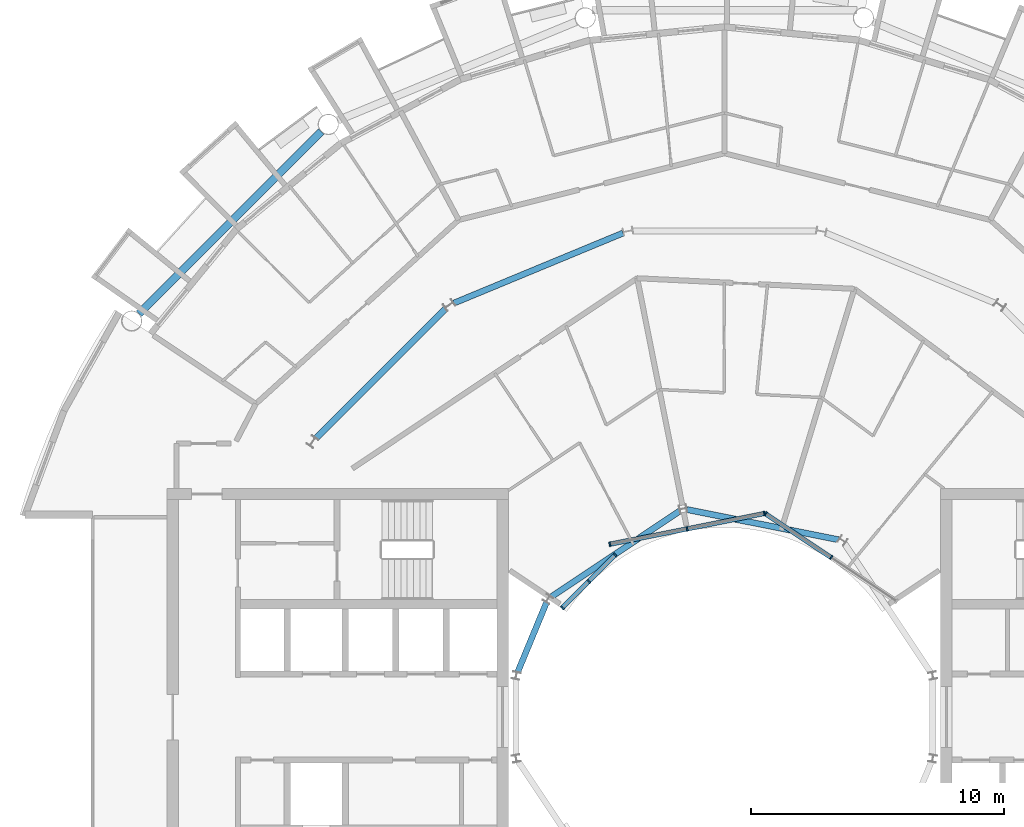
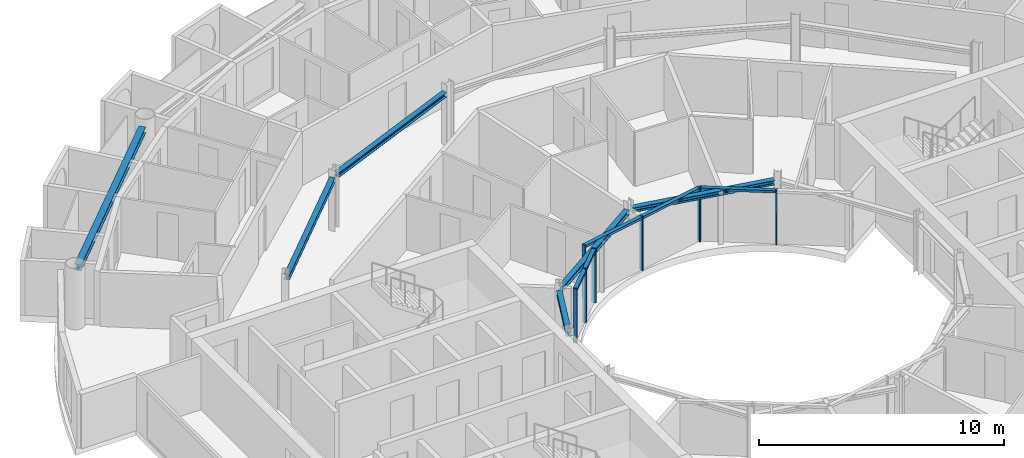
# One storey, part 9 of 29: 13 members, 6 beams, 3 elements without a shape of their own.
"""IFC4 building model written with IfcOpenShell, lengths in metres."""

from ifc_helpers import new_model, si_unit, direction, frame, origin, origin_2d, place, context, subcontext, project, spatial, rectangle, i_section, extrude, material, layer, layer_set, material_profile, profile_set, type_object, element, aggregate, save


model = new_model("IFC4")

# Units and contexts
model_context = context("Model", 3, precision=1e-05, world=origin(), true_north=direction((0.0, 1.0)))
body_context = subcontext(model_context, "Body", "Model", "MODEL_VIEW")
ifc_project = project(units=[si_unit("LENGTHUNIT", "METRE"), si_unit("AREAUNIT", "SQUARE_METRE"), si_unit("VOLUMEUNIT", "CUBIC_METRE"), si_unit("PLANEANGLEUNIT", "RADIAN"), si_unit("MASSUNIT", "GRAM", prefix="KILO")], contexts=[model_context])

# Site, building, storey
site_placement = place(None, origin())
site = spatial("IfcSite", under=ifc_project, at=site_placement, CompositionType="ELEMENT")
building_placement = place(site_placement, origin())
building = spatial("IfcBuilding", under=site, at=building_placement, Name="Maasbend Ring Residences", CompositionType="ELEMENT")
storey_placement = place(building_placement, frame((0.0, 0.0, 190.199951171875)))
storey = spatial("IfcBuildingStorey", under=building, at=storey_placement, Name="L54", CompositionType="ELEMENT", Elevation=190.199951171875)

# Curtain wall, members
ifc_material_1 = material(Name="Aluminium and clear glass", Category="aluminium")
ifc_layer = layer(ifc_material_1, 0.179931640625)
ifc_layer_set = layer_set([ifc_layer], Name="CW-W")
curtain_wall_type = type_object("IfcCurtainWallType", Name="CW-W", PredefinedType="NOTDEFINED", material=ifc_layer_set)
curtain_wall_1_placement = place(storey_placement, origin())
curtain_wall_1 = element("IfcCurtainWall", 1, at=curtain_wall_1_placement, inside=storey, type_object=curtain_wall_type, Name="Well curtain wall N1", PredefinedType="NOTDEFINED")
ifc_material_2 = material(Name="Aluminium 6063-T6", Category="aluminium")
ifc_material_profile_1 = material_profile(ifc_material_2, rectangle(XDim=0.179931640625, YDim=0.06005859375, at=origin_2d()), Name="AL 180x60")
ifc_profile_set_1 = profile_set([ifc_material_profile_1], Name="Aluminium 6063-T6")
member_type_1 = type_object("IfcMemberType", Name="CWM-W", PredefinedType="MULLION", material=ifc_profile_set_1)
member_1_placement = place(storey_placement, frame((4.216796875, 6.310791015625, 0.0), z_axis=(0.0, 0.0, 1.0), x_axis=(-0.55557023302, -0.831469612303, 0.0)))
member_1 = element("IfcMember", 2, at=member_1_placement, type_object=member_type_1, Name="Mullion well face", PredefinedType="MULLION", context=body_context, shape_type="SweptSolid", body=[
    extrude(rectangle(XDim=0.179931640625, YDim=0.06005859375, at=origin_2d()), origin(), (0.0, 0.0, 1.0), 2.699951171875),
])
member_2_placement = place(storey_placement, frame((1.627685546875, 8.040771484375, 0.0), z_axis=(0.0, 0.0, 1.0), x_axis=(-0.55557023302, -0.831469612303, 0.0)))
member_2 = element("IfcMember", 3, at=member_2_placement, type_object=member_type_1, Name="Mullion well face", PredefinedType="MULLION", context=body_context, shape_type="SweptSolid", body=[
    extrude(rectangle(XDim=0.179931640625, YDim=0.06005859375, at=origin_2d()), origin(), (0.0, 0.0, 1.0), 2.699951171875),
])

curtain_wall_2_placement = place(storey_placement, origin())
curtain_wall_2 = element("IfcCurtainWall", 4, at=curtain_wall_2_placement, inside=storey, type_object=curtain_wall_type, Name="Well curtain wall N2", PredefinedType="NOTDEFINED")
member_3_placement = place(storey_placement, frame((1.5732421875, 8.0517578125, 0.0), z_axis=(0.0, 0.0, 1.0), x_axis=(0.195090322016, -0.980785280403, 0.0)))
member_3 = element("IfcMember", 5, at=member_3_placement, type_object=member_type_1, Name="Mullion well face", PredefinedType="MULLION", context=body_context, shape_type="SweptSolid", body=[
    extrude(rectangle(XDim=0.179931640625, YDim=0.06005859375, at=origin_2d()), origin(), (0.0, 0.0, 1.0), 2.699951171875),
])
member_4_placement = place(storey_placement, frame((-1.480712890625, 7.444091796875, 0.0), z_axis=(0.0, 0.0, 1.0), x_axis=(0.195090322016, -0.980785280403, 0.0)))
member_4 = element("IfcMember", 6, at=member_4_placement, type_object=member_type_1, Name="Mullion well face", PredefinedType="MULLION", context=body_context, shape_type="SweptSolid", body=[
    extrude(rectangle(XDim=0.179931640625, YDim=0.06005859375, at=origin_2d()), origin(), (0.0, 0.0, 1.0), 2.699951171875),
])
member_5_placement = place(storey_placement, frame((-4.53466796875, 6.836669921875, 0.0), z_axis=(0.0, 0.0, 1.0), x_axis=(0.195090322016, -0.980785280403, 0.0)))
member_5 = element("IfcMember", 7, at=member_5_placement, type_object=member_type_1, Name="Mullion well face", PredefinedType="MULLION", context=body_context, shape_type="SweptSolid", body=[
    extrude(rectangle(XDim=0.179931640625, YDim=0.06005859375, at=origin_2d()), origin(), (0.0, 0.0, 1.0), 2.699951171875),
])

curtain_wall_3_placement = place(storey_placement, origin())
curtain_wall_3 = element("IfcCurtainWall", 8, at=curtain_wall_3_placement, inside=storey, type_object=curtain_wall_type, Name="Well curtain wall N3", PredefinedType="NOTDEFINED")
member_6_placement = place(storey_placement, frame((-4.320556640625, 6.413330078125, 0.0), z_axis=(0.0, 0.0, 1.0), x_axis=(0.707106781187, -0.707106781187, 0.0)))
member_6 = element("IfcMember", 9, at=member_6_placement, type_object=member_type_1, Name="Mullion well face", PredefinedType="MULLION", context=body_context, shape_type="SweptSolid", body=[
    extrude(rectangle(XDim=0.179931640625, YDim=0.06005859375, at=origin_2d()), origin(), (0.0, 0.0, 1.0), 2.699951171875),
])
member_7_placement = place(storey_placement, frame((-5.366943359375, 5.366943359375, 0.0), z_axis=(0.0, 0.0, 1.0), x_axis=(0.707106781187, -0.707106781187, 0.0)))
member_7 = element("IfcMember", 10, at=member_7_placement, type_object=member_type_1, Name="Mullion well face", PredefinedType="MULLION", context=body_context, shape_type="SweptSolid", body=[
    extrude(rectangle(XDim=0.179931640625, YDim=0.06005859375, at=origin_2d()), origin(), (0.0, 0.0, 1.0), 2.699951171875),
])
member_8_placement = place(storey_placement, frame((-6.413330078125, 4.320556640625, 0.0), z_axis=(0.0, 0.0, 1.0), x_axis=(0.707106781187, -0.707106781187, 0.0)))
member_8 = element("IfcMember", 11, at=member_8_placement, type_object=member_type_1, Name="Mullion well face", PredefinedType="MULLION", context=body_context, shape_type="SweptSolid", body=[
    extrude(rectangle(XDim=0.179931640625, YDim=0.06005859375, at=origin_2d()), origin(), (0.0, 0.0, 1.0), 2.699951171875),
])

# Member
ifc_material_3 = material(Name="Aluminium 6063-T6", Category="aluminium")
ifc_material_profile_2 = material_profile(ifc_material_3, rectangle(XDim=0.179931640625, YDim=0.1201171875, at=origin_2d()), Name="AL 180x120")
ifc_profile_set_2 = profile_set([ifc_material_profile_2], Name="Aluminium 6063-T6")
member_type_2 = type_object("IfcMemberType", Name="CWT-W", PredefinedType="USERDEFINED", material=ifc_profile_set_2)
member_9_placement = place(storey_placement, frame((4.19189453125, 6.32763671875, 2.64013671875), z_axis=(-0.831496422459, 0.555530106689, 0.0), x_axis=(-0.555530106689, -0.831496422459, 0.0)))
member_9 = element("IfcMember", 12, at=member_9_placement, type_object=member_type_2, Name="Transom well face", ObjectType="TRANSOM", PredefinedType="USERDEFINED", context=body_context, shape_type="SweptSolid", body=[
    extrude(rectangle(XDim=0.179931640625, YDim=0.1201171875, at=origin_2d()), origin(), (0.0, 0.0, 1.0), 3.053955078125),
])

aggregate(curtain_wall_1, [member_1, member_2, member_9])

member_10_placement = place(storey_placement, frame((1.5439453125, 8.0458984375, 2.64013671875), z_axis=(-0.980776956105, -0.195132166424, 0.0), x_axis=(0.195132166424, -0.980776956105, 0.0)))
member_10 = element("IfcMember", 13, at=member_10_placement, type_object=member_type_2, Name="Transom well face", ObjectType="TRANSOM", PredefinedType="USERDEFINED", context=body_context, shape_type="SweptSolid", body=[
    extrude(rectangle(XDim=0.179931640625, YDim=0.1201171875, at=origin_2d()), origin(), (0.0, 0.0, 1.0), 3.053955078125),
])

member_11_placement = place(storey_placement, frame((-1.51025390625, 7.438232421875, 2.64013671875), z_axis=(-0.980789210404, -0.19507056353, 0.0), x_axis=(0.19507056353, -0.980789210404, 0.0)))
member_11 = element("IfcMember", 14, at=member_11_placement, type_object=member_type_2, Name="Transom well face", ObjectType="TRANSOM", PredefinedType="USERDEFINED", context=body_context, shape_type="SweptSolid", body=[
    extrude(rectangle(XDim=0.179931640625, YDim=0.1201171875, at=origin_2d()), origin(), (0.0, 0.0, 1.0), 3.0537109375),
])

aggregate(curtain_wall_2, [member_3, member_4, member_5, member_10, member_11])

member_12_placement = place(storey_placement, frame((-4.341796875, 6.39208984375, 2.64013671875), z_axis=(-0.707106781187, -0.707106781187, 0.0), x_axis=(0.707106781187, -0.707106781187, 0.0)))
member_12 = element("IfcMember", 15, at=member_12_placement, type_object=member_type_2, Name="Transom well face", ObjectType="TRANSOM", PredefinedType="USERDEFINED", context=body_context, shape_type="SweptSolid", body=[
    extrude(rectangle(XDim=0.179931640625, YDim=0.1201171875, at=origin_2d()), origin(), (0.0, 0.0, 1.0), 1.419677734375),
])

member_13_placement = place(storey_placement, frame((-5.38818359375, 5.345703125, 2.64013671875), z_axis=(-0.707106781187, -0.707106781187, 0.0), x_axis=(0.707106781187, -0.707106781187, 0.0)))
member_13 = element("IfcMember", 16, at=member_13_placement, type_object=member_type_2, Name="Transom well face", ObjectType="TRANSOM", PredefinedType="USERDEFINED", context=body_context, shape_type="SweptSolid", body=[
    extrude(rectangle(XDim=0.179931640625, YDim=0.1201171875, at=origin_2d()), origin(), (0.0, 0.0, 1.0), 1.419677734375),
])

aggregate(curtain_wall_3, [member_6, member_7, member_8, member_12, member_13])

# Beams
ifc_material_4 = material(Name="Steel S355J2", Category="steel")
ifc_material_profile_3 = material_profile(ifc_material_4, i_section(OverallWidth=0.239990234375, OverallDepth=0.22998046875, WebThickness=0.007568359375, FlangeThickness=0.011962890625, FilletRadius=0.02099609375, at=origin_2d()), Name="HEA 240")
ifc_profile_set_3 = profile_set([ifc_material_profile_3], Name="Steel S355J2")
beam_type_1 = type_object("IfcBeamType", Name="Corridor ring beam HEA 240", PredefinedType="BEAM", material=ifc_profile_set_3)
beam_1_placement = place(storey_placement, frame((-4.01220703125, 19.1455078125, 2.5849609375), z_axis=(-0.923865162022, -0.382718123952, 0.0), x_axis=(0.382718123952, -0.923865162022, 0.0)))
element("IfcBeam", 17, at=beam_1_placement, inside=storey, type_object=beam_type_1, Name="Corridor ring beam", PredefinedType="BEAM", context=body_context, shape_type="SweptSolid", body=[
    extrude(i_section(OverallWidth=0.239990234375, OverallDepth=0.22998046875, WebThickness=0.007568359375, FlangeThickness=0.011962890625, FilletRadius=0.02099609375, at=origin_2d()), origin(), (0.0, 0.0, 1.0), 7.23974609375),
])
beam_2_placement = place(storey_placement, frame((-11.033447265625, 16.152587890625, 2.5849609375), z_axis=(-0.707106781187, -0.707106781187, 0.0), x_axis=(0.707106781187, -0.707106781187, 0.0)))
element("IfcBeam", 18, at=beam_2_placement, inside=storey, type_object=beam_type_1, Name="Corridor ring beam", PredefinedType="BEAM", context=body_context, shape_type="SweptSolid", body=[
    extrude(i_section(OverallWidth=0.239990234375, OverallDepth=0.22998046875, WebThickness=0.007568359375, FlangeThickness=0.011962890625, FilletRadius=0.02099609375, at=origin_2d()), origin(), (0.0, 0.0, 1.0), 7.239501953125),
])
ifc_material_5 = material(Name="Steel S355J2", Category="steel")
ifc_material_profile_4 = material_profile(ifc_material_5, i_section(OverallWidth=0.300048828125, OverallDepth=0.300048828125, WebThickness=0.010986328125, FlangeThickness=0.01904296875, FilletRadius=0.027099609375, at=origin_2d()), Name="HEB 300")
ifc_profile_set_4 = profile_set([ifc_material_profile_4], Name="Steel S355J2")
beam_type_2 = type_object("IfcBeamType", Name="Spandrel ring beam HEB 300", PredefinedType="SPANDREL", material=ifc_profile_set_4)
beam_3_placement = place(storey_placement, frame((-15.95458984375, 23.159912109375, 2.550048828125), z_axis=(-0.707106781187, -0.707106781187, 0.0), x_axis=(0.707106781187, -0.707106781187, 0.0)))
element("IfcBeam", 19, at=beam_3_placement, inside=storey, type_object=beam_type_2, Name="Spandrel ring beam", PredefinedType="SPANDREL", context=body_context, shape_type="SweptSolid", body=[
    extrude(i_section(OverallWidth=0.300048828125, OverallDepth=0.300048828125, WebThickness=0.010986328125, FlangeThickness=0.01904296875, FilletRadius=0.027099609375, at=origin_2d()), origin(), (0.0, 0.0, 1.0), 10.18994140625),
])
ifc_material_6 = material(Name="Steel S355J2", Category="steel")
ifc_material_profile_5 = material_profile(ifc_material_6, i_section(OverallWidth=0.239990234375, OverallDepth=0.22998046875, WebThickness=0.007568359375, FlangeThickness=0.011962890625, FilletRadius=0.02099609375, at=origin_2d()), Name="HEA 240")
ifc_profile_set_5 = profile_set([ifc_material_profile_5], Name="Steel S355J2")
beam_type_3 = type_object("IfcBeamType", Name="Well edge beam HEA 240", PredefinedType="BEAM", material=ifc_profile_set_5)
for number, where, z_axis, x_axis, name in (
    (20, (4.512939453125, 7.014892578125, 2.5849609375), (-0.980782836869, 0.195102606089, 0.0), (-0.195102606089, -0.980782836869, 0.0), "Well edge beam"),
    (21, (-1.769287109375, 8.1513671875, 2.5849609375), (-0.831460175376, -0.555584356119, 0.0), (0.555584356119, -0.831460175376, 0.0), "Well edge beam"),
):
    element("IfcBeam", number, at=place(storey_placement, frame(where, z_axis=z_axis, x_axis=x_axis)), inside=storey, type_object=beam_type_3, Name=name, PredefinedType="BEAM", context=body_context, shape_type="SweptSolid", body=[
        extrude(i_section(OverallWidth=0.239990234375, OverallDepth=0.22998046875, WebThickness=0.007568359375, FlangeThickness=0.011962890625, FilletRadius=0.02099609375, at=origin_2d()), origin(), (0.0, 0.0, 1.0), 6.115234375),
    ])
beam_4_placement = place(storey_placement, frame((-7.041015625, 4.5302734375, 2.5849609375), z_axis=(-0.382614534057, -0.923908068115, 0.0), x_axis=(0.923908068115, -0.382614534057, 0.0)))
element("IfcBeam", 22, at=beam_4_placement, inside=storey, type_object=beam_type_3, Name="Well edge beam", PredefinedType="BEAM", context=body_context, shape_type="SweptSolid", body=[
    extrude(i_section(OverallWidth=0.239990234375, OverallDepth=0.22998046875, WebThickness=0.007568359375, FlangeThickness=0.011962890625, FilletRadius=0.02099609375, at=origin_2d()), origin(), (0.0, 0.0, 1.0), 2.981689453125),
])

save(model, "model.ifc")
